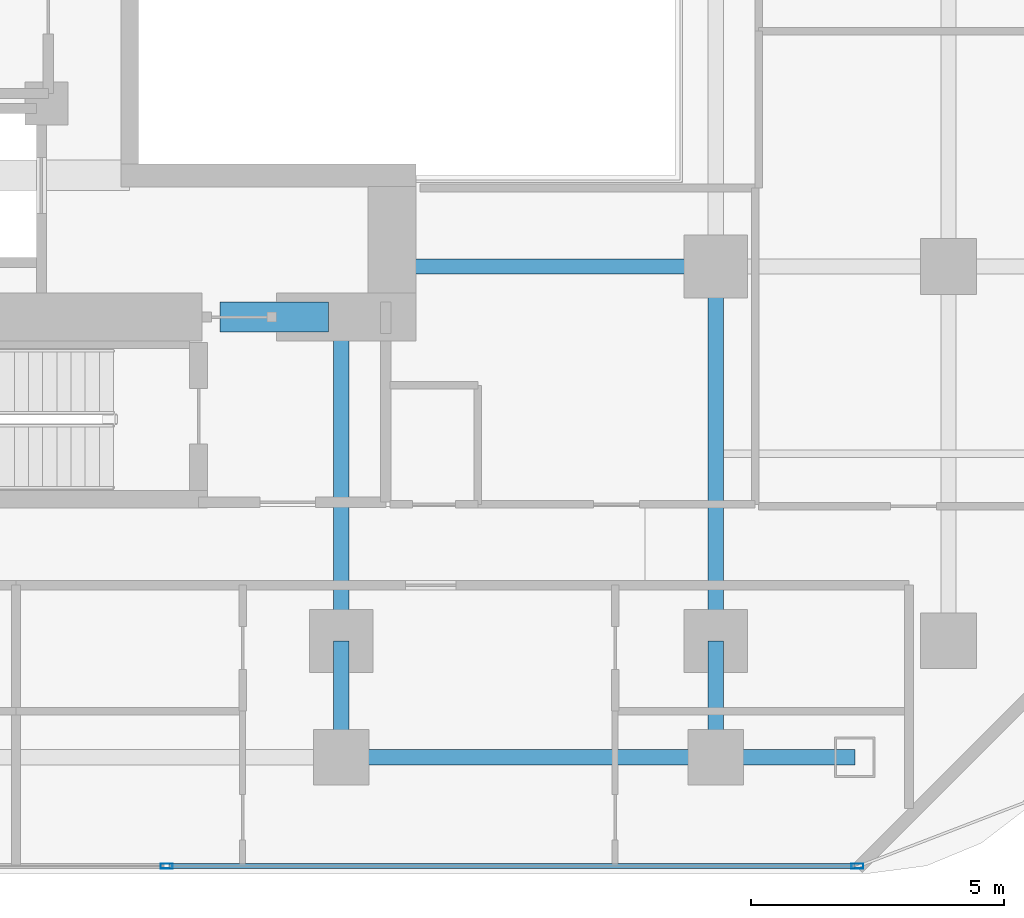
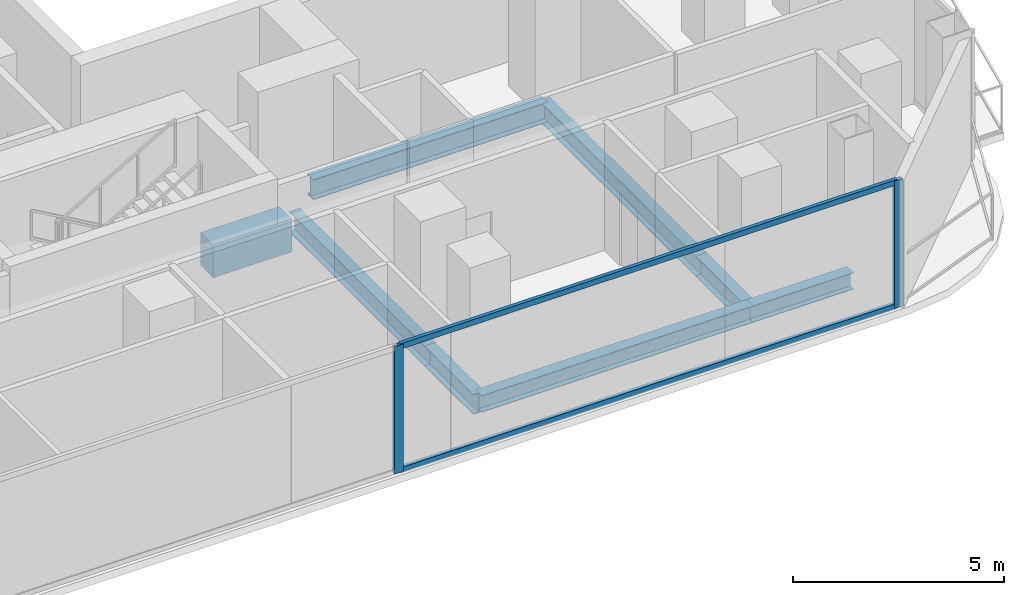
# One storey, part 8 of 28: 8 beams, 4 members, 1 element without a shape of its own.
"""IFC4 building model written with IfcOpenShell, lengths in metres."""

from ifc_helpers import new_model, si_unit, direction, frame, origin, origin_2d, place, context, subcontext, project, spatial, rectangle, hollow_rectangle, i_section, extrude, material, layer, layer_set, material_profile, profile_set, type_object, element, aggregate, save


model = new_model("IFC4")

# Units and contexts
model_context = context("Model", 3, precision=1e-05, world=origin(), true_north=direction((0.0, 1.0)))
body_context = subcontext(model_context, "Body", "Model", "MODEL_VIEW")
ifc_project = project(units=[si_unit("LENGTHUNIT", "METRE"), si_unit("AREAUNIT", "SQUARE_METRE"), si_unit("VOLUMEUNIT", "CUBIC_METRE"), si_unit("PLANEANGLEUNIT", "RADIAN"), si_unit("MASSUNIT", "GRAM", prefix="KILO")], contexts=[model_context])

# Site, building, storey
site_placement = place(None, origin())
site = spatial("IfcSite", under=ifc_project, at=site_placement, CompositionType="ELEMENT")
building_placement = place(site_placement, origin())
building = spatial("IfcBuilding", under=site, at=building_placement, Name="Khorvyn Point Tower", CompositionType="ELEMENT")
storey_placement = place(building_placement, frame((0.0, 0.0, 100.800048828125)))
storey = spatial("IfcBuildingStorey", under=building, at=storey_placement, Name="L25", CompositionType="ELEMENT", Elevation=100.800048828125)

# Curtain wall, members
ifc_material_1 = material(Name="Anodised aluminium 6063-T6 and laminated Low-E glass", Category="aluminium")
ifc_layer = layer(ifc_material_1, 0.18994140625)
ifc_layer_set = layer_set([ifc_layer], Name="Stick-Built Finned Residential Curtain Wall CW-SYS-02")
curtain_wall_type = type_object("IfcCurtainWallType", Name="Stick-Built Finned Residential Curtain Wall CW-SYS-02", PredefinedType="NOTDEFINED", material=ifc_layer_set)
curtain_wall_placement = place(storey_placement, origin())
curtain_wall = element("IfcCurtainWall", 1, at=curtain_wall_placement, inside=storey, type_object=curtain_wall_type, Name="Curtain Wall", PredefinedType="NOTDEFINED")
ifc_material_2 = material(Name="Anodised aluminium 6063-T6", Category="aluminium")
ifc_material_profile_1 = material_profile(ifc_material_2, hollow_rectangle(XDim=0.10009765625, YDim=0.239990234375, WallThickness=0.0048828125, at=origin_2d()))
ifc_profile_set_1 = profile_set([ifc_material_profile_1], Name="Anodised aluminium 6063-T6 ALU-MUL-100x240")
member_type_1 = type_object("IfcMemberType", Name="Anodised Aluminium 6063-T6 Mullion ALU-MUL-100x240", PredefinedType="MULLION", material=ifc_profile_set_1)
member_1_placement = place(storey_placement, frame((17.60009765625, -19.25, 0.0), z_axis=(0.0, 0.0, 1.0), x_axis=(0.0, -1.0, 0.0)))
member_1 = element("IfcMember", 2, at=member_1_placement, type_object=member_type_1, Name="Transom", PredefinedType="MULLION", context=body_context, shape_type="SweptSolid", body=[
    extrude(hollow_rectangle(XDim=0.10009765625, YDim=0.239990234375, WallThickness=0.0048828125, at=origin_2d()), origin(), (0.0, 0.0, 1.0), 3.679931640625),
])
member_2_placement = place(storey_placement, frame((3.949951171875, -19.25, 0.0), z_axis=(0.0, 0.0, 1.0), x_axis=(0.0, -1.0, 0.0)))
member_2 = element("IfcMember", 3, at=member_2_placement, type_object=member_type_1, Name="Transom", PredefinedType="MULLION", context=body_context, shape_type="SweptSolid", body=[
    extrude(hollow_rectangle(XDim=0.10009765625, YDim=0.239990234375, WallThickness=0.0048828125, at=origin_2d()), origin(), (0.0, 0.0, 1.0), 3.679931640625),
])
ifc_material_profile_2 = material_profile(ifc_material_2, hollow_rectangle(XDim=0.10009765625, YDim=0.159912109375, WallThickness=0.00439453125, at=origin_2d()))
ifc_profile_set_2 = profile_set([ifc_material_profile_2], Name="Anodised aluminium 6063-T6 ALU-TRN-100x160")
member_type_2 = type_object("IfcMemberType", Name="Anodised Aluminium 6063-T6 Transom ALU-TRN-100x160", PredefinedType="USERDEFINED", material=ifc_profile_set_2)
member_3_placement = place(storey_placement, frame((17.550048828125, -19.25, 0.050048828125), z_axis=(-1.0, 0.0, 0.0), x_axis=(0.0, -1.0, 0.0)))
member_3 = element("IfcMember", 4, at=member_3_placement, type_object=member_type_2, Name="Transom", ObjectType="TRANSOM", PredefinedType="USERDEFINED", context=body_context, shape_type="SweptSolid", body=[
    extrude(hollow_rectangle(XDim=0.10009765625, YDim=0.159912109375, WallThickness=0.00439453125, at=origin_2d()), origin(), (0.0, 0.0, 1.0), 13.550048828125),
])
member_4_placement = place(storey_placement, frame((17.550048828125, -19.25, 3.6298828125), z_axis=(-1.0, 0.0, 0.0), x_axis=(0.0, -1.0, 0.0)))
member_4 = element("IfcMember", 5, at=member_4_placement, type_object=member_type_2, Name="Transom", ObjectType="TRANSOM", PredefinedType="USERDEFINED", context=body_context, shape_type="SweptSolid", body=[
    extrude(hollow_rectangle(XDim=0.10009765625, YDim=0.159912109375, WallThickness=0.00439453125, at=origin_2d()), origin(), (0.0, 0.0, 1.0), 13.550048828125),
])
aggregate(curtain_wall, [member_1, member_2, member_3, member_4])

# Beams
ifc_material_3 = material(Name="Concrete C50/60", Category="concrete")
ifc_material_profile_3 = material_profile(ifc_material_3, rectangle(XDim=0.60009765625, YDim=0.949951171875, at=origin_2d()))
ifc_profile_set_3 = profile_set([ifc_material_profile_3], Name="Concrete C50/60 RC600x950")
beam_type_1 = type_object("IfcBeamType", Name="Concrete C50/60 Beam RC600x950", PredefinedType="BEAM", material=ifc_profile_set_3)
beam_1_placement = place(storey_placement, frame((5.0, -8.39990234375, -0.695068359375), z_axis=(1.0, 0.0, 0.0), x_axis=(0.0, 1.0, 0.0)))
element("IfcBeam", 6, at=beam_1_placement, inside=storey, type_object=beam_type_1, Name="L25 Core Southeast Portal Coupling Beam", PredefinedType="BEAM", context=body_context, shape_type="SweptSolid", body=[
    extrude(rectangle(XDim=0.60009765625, YDim=0.949951171875, at=origin_2d()), origin(), (0.0, 0.0, 1.0), 2.14990234375),
])
ifc_material_4 = material(Name="Steel S355", Category="steel")
ifc_material_profile_4 = material_profile(ifc_material_4, i_section(OverallWidth=0.300048828125, OverallDepth=0.587890625, WebThickness=0.011962890625, FlangeThickness=0.02001953125, at=origin_2d()))
ifc_profile_set_4 = profile_set([ifc_material_profile_4], Name="Steel S355 H588x300x12x20")
beam_type_2 = type_object("IfcBeamType", Name="Steel S355 Beam H588x300x12x20", PredefinedType="BEAM", material=ifc_profile_set_4)
beam_2_placement = place(storey_placement, frame((8.39990234375, -7.39990234375, -0.51416015625), z_axis=(1.0, 0.0, 0.0), x_axis=(0.0, 1.0, 0.0)))
element("IfcBeam", 7, at=beam_2_placement, inside=storey, type_object=beam_type_2, Name="Beam", PredefinedType="BEAM", context=body_context, shape_type="SweptSolid", body=[
    extrude(i_section(OverallWidth=0.300048828125, OverallDepth=0.587890625, WebThickness=0.011962890625, FlangeThickness=0.02001953125, at=origin_2d()), origin(), (0.0, 0.0, 1.0), 6.400146484375),
])
beam_3_placement = place(storey_placement, frame((14.800048828125, -17.10009765625, -0.51416015625), z_axis=(0.0, 1.0, 0.0), x_axis=(-1.0, 0.0, 0.0)))
element("IfcBeam", 8, at=beam_3_placement, inside=storey, type_object=beam_type_2, Name="Beam", PredefinedType="BEAM", context=body_context, shape_type="SweptSolid", body=[
    extrude(i_section(OverallWidth=0.300048828125, OverallDepth=0.587890625, WebThickness=0.011962890625, FlangeThickness=0.02001953125, at=origin_2d()), origin(), (0.0, 0.0, 1.0), 2.300048828125),
])
beam_4_placement = place(storey_placement, frame((14.800048828125, -14.800048828125, -0.51416015625), z_axis=(0.0, 1.0, 0.0), x_axis=(-1.0, 0.0, 0.0)))
element("IfcBeam", 9, at=beam_4_placement, inside=storey, type_object=beam_type_2, Name="Beam", PredefinedType="BEAM", context=body_context, shape_type="SweptSolid", body=[
    extrude(i_section(OverallWidth=0.300048828125, OverallDepth=0.587890625, WebThickness=0.011962890625, FlangeThickness=0.02001953125, at=origin_2d()), origin(), (0.0, 0.0, 1.0), 7.400146484375),
])
beam_5_placement = place(storey_placement, frame((7.39990234375, -17.10009765625, -0.51416015625), z_axis=(0.0, 1.0, 0.0), x_axis=(-1.0, 0.0, 0.0)))
element("IfcBeam", 10, at=beam_5_placement, inside=storey, type_object=beam_type_2, Name="Beam", PredefinedType="BEAM", context=body_context, shape_type="SweptSolid", body=[
    extrude(i_section(OverallWidth=0.300048828125, OverallDepth=0.587890625, WebThickness=0.011962890625, FlangeThickness=0.02001953125, at=origin_2d()), origin(), (0.0, 0.0, 1.0), 2.300048828125),
])
beam_6_placement = place(storey_placement, frame((7.39990234375, -14.800048828125, -0.51416015625), z_axis=(0.0, 1.0, 0.0), x_axis=(-1.0, 0.0, 0.0)))
element("IfcBeam", 11, at=beam_6_placement, inside=storey, type_object=beam_type_2, Name="Beam", PredefinedType="BEAM", context=body_context, shape_type="SweptSolid", body=[
    extrude(i_section(OverallWidth=0.300048828125, OverallDepth=0.587890625, WebThickness=0.011962890625, FlangeThickness=0.02001953125, at=origin_2d()), origin(), (0.0, 0.0, 1.0), 6.400146484375),
])
ifc_material_profile_5 = material_profile(ifc_material_4, i_section(OverallWidth=0.300048828125, OverallDepth=0.488037109375, WebThickness=0.010986328125, FlangeThickness=0.01806640625, at=origin_2d()))
ifc_profile_set_5 = profile_set([ifc_material_profile_5], Name="Steel S355 H488x300x11x18")
beam_type_3 = type_object("IfcBeamType", Name="Steel S355 Spandrel H488x300x11x18", PredefinedType="SPANDREL", material=ifc_profile_set_5)
beam_7_placement = place(storey_placement, frame((7.39990234375, -17.10009765625, -0.464111328125), z_axis=(1.0, 0.0, 0.0), x_axis=(0.0, 1.0, 0.0)))
element("IfcBeam", 12, at=beam_7_placement, inside=storey, type_object=beam_type_3, Name="Beam", PredefinedType="SPANDREL", context=body_context, shape_type="SweptSolid", body=[
    extrude(i_section(OverallWidth=0.300048828125, OverallDepth=0.488037109375, WebThickness=0.010986328125, FlangeThickness=0.01806640625, at=origin_2d()), origin(), (0.0, 0.0, 1.0), 7.400146484375),
])
beam_8_placement = place(storey_placement, frame((14.800048828125, -17.10009765625, -0.464111328125), z_axis=(1.0, 0.0, 0.0), x_axis=(0.0, 1.0, 0.0)))
element("IfcBeam", 13, at=beam_8_placement, inside=storey, type_object=beam_type_3, Name="Beam", PredefinedType="SPANDREL", context=body_context, shape_type="SweptSolid", body=[
    extrude(i_section(OverallWidth=0.300048828125, OverallDepth=0.488037109375, WebThickness=0.010986328125, FlangeThickness=0.01806640625, at=origin_2d()), origin(), (0.0, 0.0, 1.0), 2.75),
])

save(model, "model.ifc")
